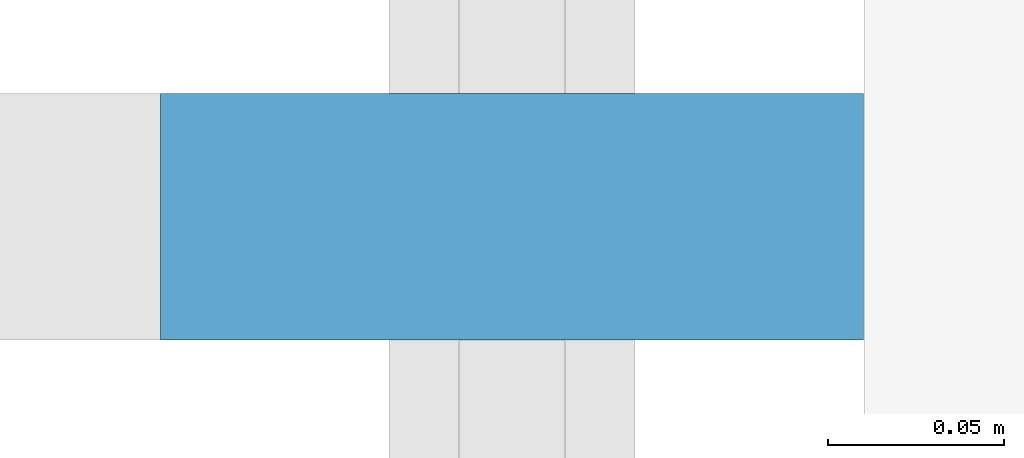
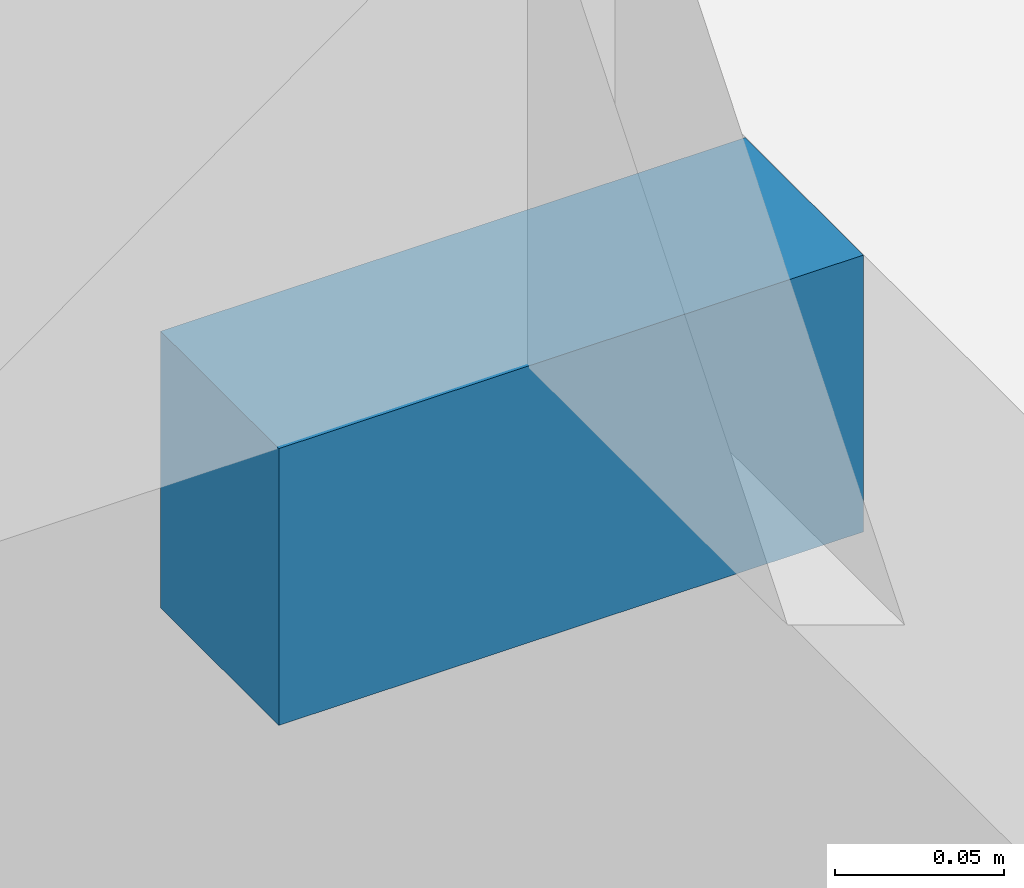
# One storey, part 12 of 16: 1 discrete accessory.
"""IFC4 building model written with IfcOpenShell, lengths in metres."""

from ifc_helpers import new_model, si_unit, direction, frame, origin, origin_2d, place, context, subcontext, project, spatial, rectangle, extrude, element, save


model = new_model("IFC4")

# Units and contexts
model_context = context("Model", 3, precision=1e-05, world=origin(), true_north=direction((0.0, 1.0)))
body_context = subcontext(model_context, "Body", "Model", "MODEL_VIEW")
ifc_project = project(units=[si_unit("LENGTHUNIT", "METRE"), si_unit("AREAUNIT", "SQUARE_METRE"), si_unit("VOLUMEUNIT", "CUBIC_METRE"), si_unit("PLANEANGLEUNIT", "RADIAN"), si_unit("MASSUNIT", "GRAM", prefix="KILO")], contexts=[model_context])

# Site, building, storey
site_placement = place(None, origin())
site = spatial("IfcSite", under=ifc_project, at=site_placement, CompositionType="ELEMENT")
building_placement = place(site_placement, origin())
building = spatial("IfcBuilding", under=site, at=building_placement, Name="Daluyong Arena Tower", CompositionType="ELEMENT")
storey_placement = place(building_placement, frame((0.0, 0.0, 210.699951171875)))
storey = spatial("IfcBuildingStorey", under=building, at=storey_placement, Name="L47", CompositionType="ELEMENT", Elevation=210.699951171875)

# Discrete accessory
discrete_accessory_placement = place(storey_placement, frame((34.25, 87.386474609375, -0.10009765625), z_axis=(0.0, 0.0, 1.0), x_axis=(0.0, -1.0, 0.0)))
element("IfcDiscreteAccessory", 1, at=discrete_accessory_placement, inside=storey, Name="curtain wall L47 W anchor bracket 4", PredefinedType="BRACKET", context=body_context, shape_type="SweptSolid", body=[
    extrude(rectangle(XDim=0.070068359375, YDim=0.199951171875, at=origin_2d()), origin(), (0.0, 0.0, 1.0), 0.10009765625),
])

save(model, "model.ifc")
